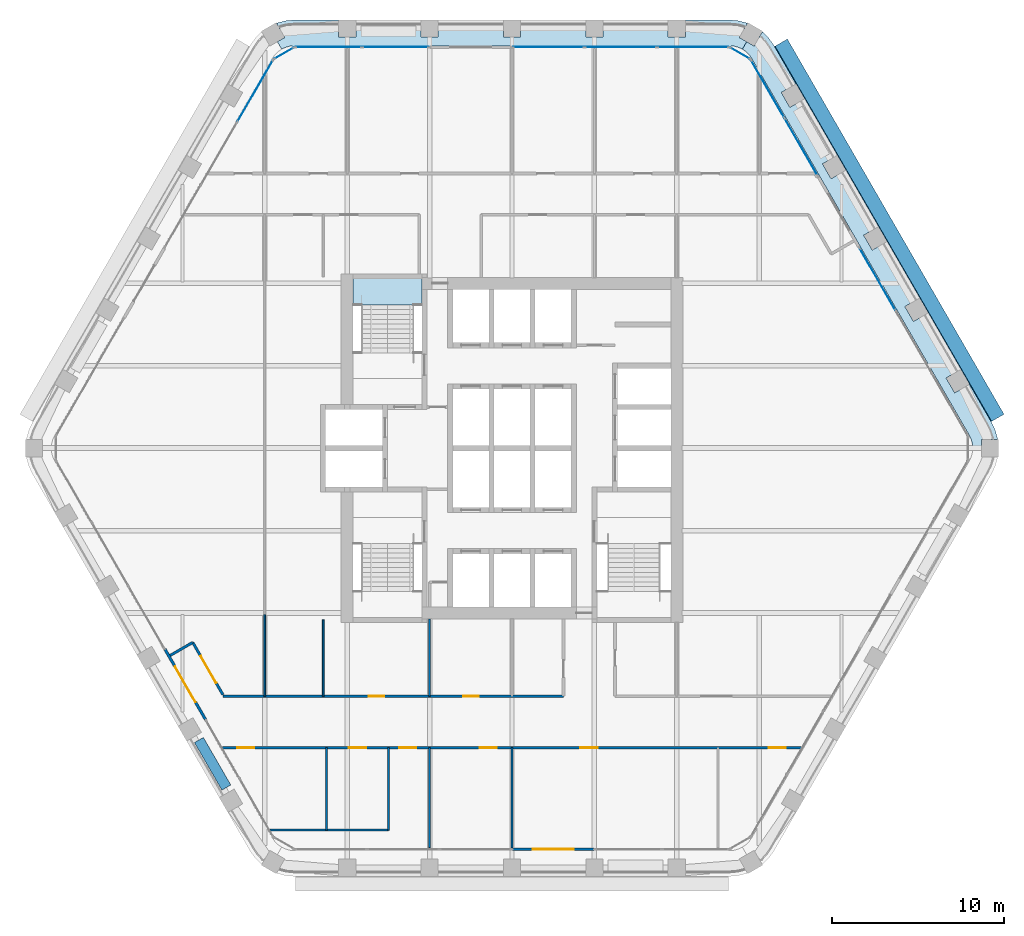
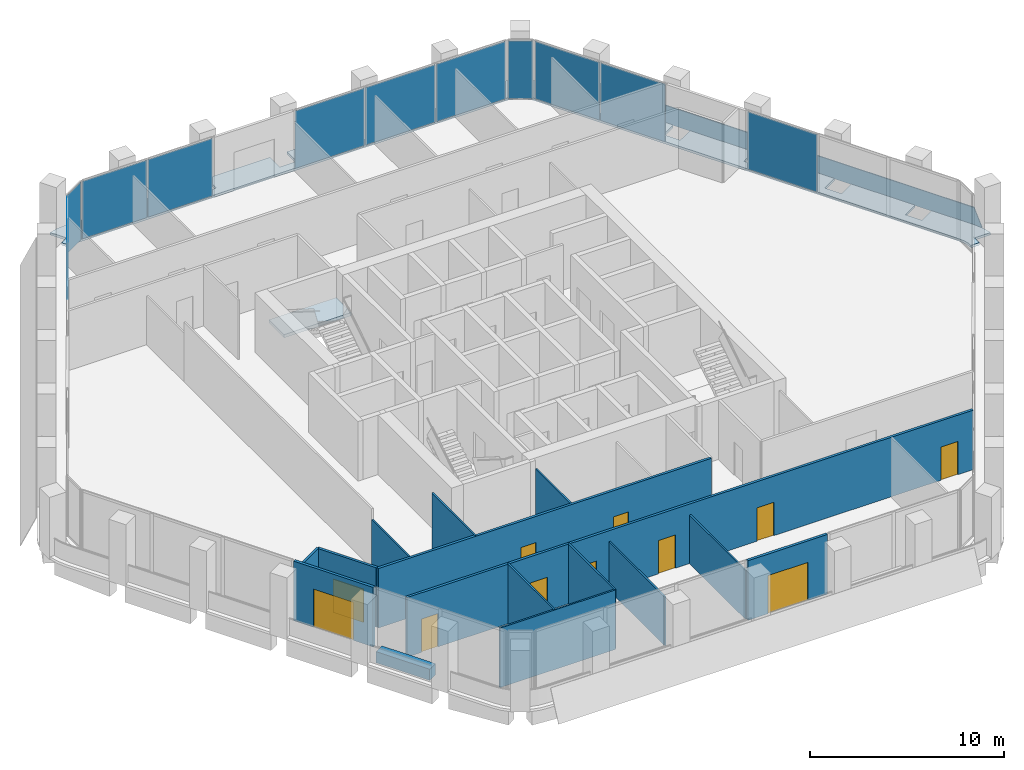
# One storey, part 8 of 15: 15 walls, 12 plates, 11 doors, 3 slabs, 11 openings, 8 elements without a shape of their own.
"""IFC4 building model written with IfcOpenShell, lengths in metres."""

from ifc_helpers import new_model, si_unit, direction, frame, frame_2d, origin, origin_2d, place, context, subcontext, project, spatial, polyline, rectangle, outline, extrude, material, layer, layer_set, type_object, element, fill, aggregate, save


model = new_model("IFC4")

# Units and contexts
model_context = context("Model", 3, precision=1e-05, world=origin(), true_north=direction((0.0, 1.0)))
body_context = subcontext(model_context, "Body", "Model", "MODEL_VIEW")
ifc_project = project(units=[si_unit("LENGTHUNIT", "METRE"), si_unit("AREAUNIT", "SQUARE_METRE"), si_unit("VOLUMEUNIT", "CUBIC_METRE"), si_unit("PLANEANGLEUNIT", "RADIAN"), si_unit("MASSUNIT", "GRAM", prefix="KILO")], contexts=[model_context])

# Site, building, storey
site_placement = place(None, origin())
site = spatial("IfcSite", under=ifc_project, at=site_placement, CompositionType="ELEMENT")
building_placement = place(site_placement, origin())
building = spatial("IfcBuilding", under=site, at=building_placement, Name="Kolab Exchange Tower", CompositionType="ELEMENT")
storey_placement = place(building_placement, frame((0.0, 0.0, 205.10009765625)))
storey = spatial("IfcBuildingStorey", under=building, at=storey_placement, Name="L44", CompositionType="ELEMENT", Elevation=205.10009765625)

# Slabs
ifc_material_1 = material(Name="Concrete C35/45", Category="concrete")
ifc_layer_1 = layer(ifc_material_1, 0.14990234375)
ifc_layer_set_1 = layer_set([ifc_layer_1], Name="Concrete C35/45")
slab_type_1 = type_object("IfcSlabType", Name="LOGGIA SLAB 150", PredefinedType="FLOOR", material=ifc_layer_set_1)
slab_1_placement = place(storey_placement, frame((0.0, 0.0, -0.150146484375)))
element("IfcSlab", 1, at=slab_1_placement, inside=storey, type_object=slab_type_1, Name="slab/L44/loggia/0-0", PredefinedType="FLOOR", context=body_context, shape_type="SweptSolid", body=[
    extrude(outline(polyline([(13.41796875, 23.240478515625), (13.66796875, 23.673583984375), (13.23486328125, 23.923583984375), (13.713134765625, 24.751708984375), (13.694091796875, 24.760498046875), (13.18896484375, 24.89599609375), (12.66796875, 24.941650390625), (10.10009765625, 24.941650390625), (10.10009765625, 23.941650390625), (9.10009765625, 23.941650390625), (9.10009765625, 24.941650390625), (5.300048828125, 24.941650390625), (5.300048828125, 23.941650390625), (4.300048828125, 23.941650390625), (4.300048828125, 24.941650390625), (0.5, 24.941650390625), (0.5, 23.941650390625), (-0.5, 23.941650390625), (-0.5, 24.941650390625), (-4.300048828125, 24.941650390625), (-4.300048828125, 23.941650390625), (-5.300048828125, 23.941650390625), (-5.300048828125, 24.941650390625), (-9.10009765625, 24.941650390625), (-9.10009765625, 23.941650390625), (-10.10009765625, 23.941650390625), (-10.10009765625, 24.941650390625), (-12.66796875, 24.941650390625), (-13.18896484375, 24.89599609375), (-13.694091796875, 24.760498046875), (-13.713134765625, 24.751708984375), (-13.23486328125, 23.923583984375), (-13.66796875, 23.673583984375), (-13.41796875, 23.240478515625), (-13.180908203125, 23.35107421875), (-12.928466796875, 23.418701171875), (-12.66796875, 23.441650390625), (12.66796875, 23.441650390625), (12.928466796875, 23.418701171875), (13.180908203125, 23.35107421875), (13.41796875, 23.240478515625)])), origin(), (0.0, 0.0, 1.0), 0.150146484375),
])
slab_2_placement = place(storey_placement, frame((0.0, 0.0, -0.150146484375)))
element("IfcSlab", 2, at=slab_2_placement, inside=storey, type_object=slab_type_1, Name="slab/L44/loggia/1-0", PredefinedType="FLOOR", context=body_context, shape_type="SweptSolid", body=[
    extrude(outline(polyline([(26.8359375, 0.0), (27.3359375, 0.0), (27.3359375, 0.5), (28.292236328125, 0.5), (28.290283203125, 0.52099609375), (28.155029296875, 1.026123046875), (27.93408203125, 1.5), (26.64990234375, 3.723876953125), (25.783935546875, 3.223876953125), (25.283935546875, 4.08984375), (26.14990234375, 4.58984375), (24.25, 7.880859375), (23.384033203125, 7.380859375), (22.884033203125, 8.246826171875), (23.75, 8.746826171875), (21.85009765625, 12.037841796875), (20.98388671875, 11.537841796875), (20.48388671875, 12.40380859375), (21.35009765625, 12.90380859375), (19.449951171875, 16.194580078125), (18.583984375, 15.694580078125), (18.083984375, 16.560791015625), (18.949951171875, 17.060791015625), (17.050048828125, 20.3515625), (16.18408203125, 19.8515625), (15.68408203125, 20.717529296875), (16.550048828125, 21.217529296875), (15.26611328125, 23.441650390625), (14.966064453125, 23.869873046875), (14.59619140625, 24.23974609375), (14.5791015625, 24.251708984375), (14.10107421875, 23.423583984375), (13.66796875, 23.673583984375), (13.41796875, 23.240478515625), (13.632080078125, 23.090576171875), (13.81689453125, 22.90576171875), (13.967041015625, 22.691650390625), (26.635009765625, 0.75), (26.745361328125, 0.512939453125), (26.81298828125, 0.260498046875), (26.8359375, 0.0)])), origin(), (0.0, 0.0, 1.0), 0.150146484375),
])

# Plate
ifc_material_2 = material(Name="Laminated glass, clear", Category="glass")
ifc_layer_2 = layer(ifc_material_2, 0.0400390625)
ifc_layer_set_2 = layer_set([ifc_layer_2], Name="Laminated glass, clear")
plate_type_1 = type_object("IfcPlateType", Name="OUTER SKIN LAMINATED GLASS SHEET 40", PredefinedType="SHEET", material=ifc_layer_set_2)
plate_1_placement = place(storey_placement, frame((16.040283203125, 23.830810546875, -0.68310546875), z_axis=(0.784879402523, 0.453150748855, 0.422633082363), x_axis=(0.49999996891, -0.866025421734, 9.26397e-07)))
element("IfcPlate", 3, at=plate_1_placement, inside=storey, type_object=plate_type_1, Name="Outer skin", PredefinedType="SHEET", context=body_context, shape_type="SweptSolid", body=[
    extrude(outline(polyline([(0.0, 0.0), (25.235928246078725, 0.0), (25.235843279343584, -1.9610710072384856), (0.00012646525258926716, -1.9611225980101972), (0.0, 0.0)])), origin(), (0.0, 0.0, -1.0), 0.0400390625),
])

# Stair, slab
ifc_material_3 = material(Name="Concrete C50/60", Category="concrete")
stair_type = type_object("IfcStairType", Name="STAIR ST1 RISER 177.3", PredefinedType="HALF_TURN_STAIR", material=ifc_material_3)
stair_placement = place(storey_placement, origin())
stair = element("IfcStair", 4, at=stair_placement, inside=storey, type_object=stair_type, Name="Stair 1", PredefinedType="HALF_TURN_STAIR")
ifc_layer_3 = layer(ifc_material_3, 0.199951171875)
ifc_layer_set_3 = layer_set([ifc_layer_3], Name="Concrete C50/60")
slab_type_2 = type_object("IfcSlabType", Name="STAIR LANDING 200", PredefinedType="LANDING", material=ifc_layer_set_3)
slab_3_placement = place(storey_placement, frame((0.0, 0.0, 1.75)))
slab_3 = element("IfcSlab", 5, at=slab_3_placement, type_object=slab_type_2, Name="ST1 landing 2", PredefinedType="LANDING", context=body_context, shape_type="SweptSolid", body=[
    extrude(outline(polyline([(-9.25, 8.35009765625), (-5.25, 8.35009765625), (-5.25, 9.909912109375), (-9.25, 9.909912109375), (-9.25, 8.35009765625)])), origin(), (0.0, 0.0, 1.0), 0.199951171875),
])
aggregate(stair, [slab_3])

# Curtain wall, plates
ifc_material_4 = material(Name="Aluminium EN AW-6063 T6", Category="aluminium")
curtain_wall_type = type_object("IfcCurtainWallType", Name="UNITISED UPPER MID ZONE CURTAIN WALL", PredefinedType="NOTDEFINED", material=ifc_material_4)
curtain_wall_1_placement = place(storey_placement, origin())
curtain_wall_1 = element("IfcCurtainWall", 6, at=curtain_wall_1_placement, inside=storey, type_object=curtain_wall_type, Name="cw/L44/F1-1", PredefinedType="NOTDEFINED")
ifc_material_5 = material(Name="Clear insulated glazing unit", Category="glass")
ifc_layer_4 = layer(ifc_material_5, 0.028076171875)
ifc_layer_set_4 = layer_set([ifc_layer_4], Name="Clear insulated glazing unit")
plate_type_2 = type_object("IfcPlateType", Name="UNITISED UPPER MID ZONE GLASS PANEL 28", PredefinedType="CURTAIN_PANEL", material=ifc_layer_set_4)
plate_2_placement = place(storey_placement, frame((-10.68603515625, 23.361572265625, 0.06005859375), z_axis=(0.0, 0.0, 1.0), x_axis=(1.0, 0.0, 0.0)))
plate_2 = element("IfcPlate", 7, at=plate_2_placement, type_object=plate_type_2, Name="CW3 panel 1.1", PredefinedType="CURTAIN_PANEL", context=body_context, shape_type="SweptSolid", body=[
    extrude(rectangle(XDim=3.843994140625, YDim=0.028076171875, at=origin_2d()), origin(), (0.0, 0.0, 1.0), 3.6298828125),
])
plate_3_placement = place(storey_placement, frame((-6.781982421875, 23.361572265625, 0.06005859375), z_axis=(0.0, 0.0, 1.0), x_axis=(1.0, 0.0, 0.0)))
plate_3 = element("IfcPlate", 8, at=plate_3_placement, type_object=plate_type_2, Name="CW3 panel 2.1", PredefinedType="CURTAIN_PANEL", context=body_context, shape_type="SweptSolid", body=[
    extrude(rectangle(XDim=3.843994140625, YDim=0.028076171875, at=origin_2d()), origin(), (0.0, 0.0, 1.0), 3.6298828125),
])
aggregate(curtain_wall_1, [plate_2, plate_3])

curtain_wall_2_placement = place(storey_placement, origin())
curtain_wall_2 = element("IfcCurtainWall", 9, at=curtain_wall_2_placement, inside=storey, type_object=curtain_wall_type, Name="cw/L44/F1-2", PredefinedType="NOTDEFINED")
plate_4_placement = place(storey_placement, frame((2.126220703125, 23.361572265625, 0.06005859375), z_axis=(0.0, 0.0, 1.0), x_axis=(1.0, 0.0, 0.0)))
plate_4 = element("IfcPlate", 10, at=plate_4_placement, type_object=plate_type_2, Name="CW3 panel 1.1", PredefinedType="CURTAIN_PANEL", context=body_context, shape_type="SweptSolid", body=[
    extrude(rectangle(XDim=4.132568359375, YDim=0.028076171875, at=origin_2d()), origin(), (0.0, 0.0, 1.0), 3.6298828125),
])
plate_5_placement = place(storey_placement, frame((6.333984375, 23.361572265625, 0.06005859375), z_axis=(0.0, 0.0, 1.0), x_axis=(1.0, 0.0, 0.0)))
plate_5 = element("IfcPlate", 11, at=plate_5_placement, type_object=plate_type_2, Name="CW3 panel 2.1", PredefinedType="CURTAIN_PANEL", context=body_context, shape_type="SweptSolid", body=[
    extrude(rectangle(XDim=4.16259765625, YDim=0.028076171875, at=origin_2d()), origin(), (0.0, 0.0, 1.0), 3.6298828125),
])
plate_6_placement = place(storey_placement, frame((10.54150390625, 23.361572265625, 0.06005859375), z_axis=(0.0, 0.0, 1.0), x_axis=(1.0, 0.0, 0.0)))
plate_6 = element("IfcPlate", 12, at=plate_6_placement, type_object=plate_type_2, Name="CW3 panel 3.1", PredefinedType="CURTAIN_PANEL", context=body_context, shape_type="SweptSolid", body=[
    extrude(rectangle(XDim=4.132568359375, YDim=0.028076171875, at=origin_2d()), origin(), (0.0, 0.0, 1.0), 3.6298828125),
])
aggregate(curtain_wall_2, [plate_4, plate_5, plate_6])

curtain_wall_3_placement = place(storey_placement, origin())
curtain_wall_3 = element("IfcCurtainWall", 13, at=curtain_wall_3_placement, inside=storey, type_object=curtain_wall_type, Name="cw/L44/F2-1", PredefinedType="NOTDEFINED")
plate_7_placement = place(storey_placement, frame((14.888671875, 20.93505859375, 0.06005859375), z_axis=(0.0, 0.0, 1.0), x_axis=(0.500000031681, -0.866025385493, 0.0)))
plate_7 = element("IfcPlate", 14, at=plate_7_placement, type_object=plate_type_2, Name="CW3 panel 1.1", PredefinedType="CURTAIN_PANEL", context=body_context, shape_type="SweptSolid", body=[
    extrude(rectangle(XDim=3.843994140625, YDim=0.028076171875, at=origin_2d()), origin(), (0.0, 0.0, 1.0), 3.6298828125),
])
plate_8_placement = place(storey_placement, frame((16.840576171875, 17.55419921875, 0.06005859375), z_axis=(0.0, 0.0, 1.0), x_axis=(0.500000031681, -0.866025385493, 0.0)))
plate_8 = element("IfcPlate", 15, at=plate_8_placement, type_object=plate_type_2, Name="CW3 panel 2.1", PredefinedType="CURTAIN_PANEL", context=body_context, shape_type="SweptSolid", body=[
    extrude(rectangle(XDim=3.843994140625, YDim=0.028076171875, at=origin_2d()), origin(), (0.0, 0.0, 1.0), 3.6298828125),
])
aggregate(curtain_wall_3, [plate_7, plate_8])

# Curtain wall, plate
curtain_wall_4_placement = place(storey_placement, origin())
curtain_wall_4 = element("IfcCurtainWall", 16, at=curtain_wall_4_placement, inside=storey, type_object=curtain_wall_type, Name="cw/L44/F2-2", PredefinedType="NOTDEFINED")
plate_9_placement = place(storey_placement, frame((21.294921875, 9.83935546875, 0.06005859375), z_axis=(0.0, 0.0, 1.0), x_axis=(0.499999958358, -0.866025427826, 0.0)))
plate_9 = element("IfcPlate", 17, at=plate_9_placement, type_object=plate_type_2, Name="CW3 panel 1.1", PredefinedType="CURTAIN_PANEL", context=body_context, shape_type="SweptSolid", body=[
    extrude(rectangle(XDim=4.132568359375, YDim=0.028076171875, at=origin_2d()), origin(), (0.0, 0.0, 1.0), 3.6298828125),
])
aggregate(curtain_wall_4, [plate_9])

curtain_wall_5_placement = place(storey_placement, origin())
curtain_wall_5 = element("IfcCurtainWall", 18, at=curtain_wall_5_placement, inside=storey, type_object=curtain_wall_type, Name="cw/L44/F6-2", PredefinedType="NOTDEFINED")
plate_10_placement = place(storey_placement, frame((-14.9609375, 20.81005859375, 0.06005859375), z_axis=(0.0, 0.0, 1.0), x_axis=(0.500000017564, 0.866025393644, 0.0)))
plate_10 = element("IfcPlate", 19, at=plate_10_placement, type_object=plate_type_2, Name="CW3 panel 3.1", PredefinedType="CURTAIN_PANEL", context=body_context, shape_type="SweptSolid", body=[
    extrude(rectangle(XDim=4.132568359375, YDim=0.028076171875, at=origin_2d()), origin(), (0.0, 0.0, 1.0), 3.6298828125),
])
aggregate(curtain_wall_5, [plate_10])

curtain_wall_6_placement = place(storey_placement, origin())
curtain_wall_6 = element("IfcCurtainWall", 20, at=curtain_wall_6_placement, inside=storey, type_object=curtain_wall_type, Name="cw/L44/F1F2-corner", PredefinedType="NOTDEFINED")
plate_11_placement = place(storey_placement, frame((13.28271484375, 23.006591796875, 0.06005859375), z_axis=(0.0, 0.0, 1.0), x_axis=(0.866025390869, -0.50000002237, 0.0)))
plate_11 = element("IfcPlate", 21, at=plate_11_placement, type_object=plate_type_2, Name="CW3 panel 1.1", PredefinedType="CURTAIN_PANEL", context=body_context, shape_type="SweptSolid", body=[
    extrude(rectangle(XDim=1.300048828125, YDim=0.028076171875, at=origin_2d()), origin(), (0.0, 0.0, 1.0), 3.6298828125),
])
aggregate(curtain_wall_6, [plate_11])

curtain_wall_7_placement = place(storey_placement, origin())
curtain_wall_7 = element("IfcCurtainWall", 22, at=curtain_wall_7_placement, inside=storey, type_object=curtain_wall_type, Name="cw/L44/F6F1-corner", PredefinedType="NOTDEFINED")
plate_12_placement = place(storey_placement, frame((-13.28271484375, 23.006591796875, 0.06005859375), z_axis=(0.0, 0.0, 1.0), x_axis=(0.866025390869, 0.50000002237, 0.0)))
plate_12 = element("IfcPlate", 23, at=plate_12_placement, type_object=plate_type_2, Name="CW3 panel 1.1", PredefinedType="CURTAIN_PANEL", context=body_context, shape_type="SweptSolid", body=[
    extrude(rectangle(XDim=1.300048828125, YDim=0.028076171875, at=origin_2d()), origin(), (0.0, 0.0, 1.0), 3.6298828125),
])
aggregate(curtain_wall_7, [plate_12])

# Wall, opening, door
ifc_layer_5 = layer(ifc_material_4, 0.159912109375)
ifc_layer_set_5 = layer_set([ifc_layer_5], Name="Aluminium EN AW-6063 T6")
wall_type_1 = type_object("IfcWallType", Name="DOOR SURROUND WALL 160 ALUMINIUM FRAMED", PredefinedType="PARTITIONING", material=ifc_layer_set_5)
wall_1_placement = place(storey_placement, frame((4.77001953125, -23.361572265625, 0.0), z_axis=(0.0, 0.0, 1.0), x_axis=(-1.0, 0.0, 0.0)))
wall_1 = element("IfcWall", 24, at=wall_1_placement, inside=storey, type_object=wall_type_1, Name="Door surround wall", PredefinedType="PARTITIONING", context=body_context, shape_type="SweptSolid", body=[
    extrude(rectangle(XDim=4.739990234375, YDim=0.159912109375, at=frame_2d((2.3701171875, 0.0))), origin(), (0.0, 0.0, 1.0), 3.75),
])
opening_1_placement = place(wall_1_placement, frame((1.169921875, 0.0, 0.0)))
opening_1 = element("IfcOpeningElement", 25, at=opening_1_placement, cuts=wall_1, Name="Opening GD1-067", PredefinedType="OPENING", context=body_context, shape_type="SweptSolid", body=[
    extrude(rectangle(XDim=2.39990234375, YDim=2.39990234375, at=frame_2d((1.199951171875, 1.199951171875))), frame((0.0, 0.08984375, 0.0), z_axis=(0.0, -1.0, 0.0), x_axis=(1.0, 0.0, 0.0)), (0.0, 0.0, 1.0), 0.179931640625),
])
door_type_1 = type_object("IfcDoorType", Name="LOGGIA SLIDING GLASS DOOR 2400 X 2400", OperationType="DOUBLE_DOOR_SINGLE_SWING", PredefinedType="DOOR", material=ifc_material_4)
door_1_placement = place(opening_1_placement, origin())
door_1 = element("IfcDoor", 26, at=door_1_placement, inside=storey, type_object=door_type_1, Name="Loggia door", OperationType="DOUBLE_DOOR_SLIDING", OverallHeight=2.39990234375, OverallWidth=2.39990234375, PredefinedType="DOOR", context=body_context, shape_type="SweptSolid", body=[
    extrude(rectangle(XDim=2.39990234375, YDim=2.39990234375, at=frame_2d((1.199951171875, 1.199951171875))), frame((0.0, 0.02490234375, 0.0), z_axis=(0.0, -1.0, 0.0), x_axis=(1.0, 0.0, 0.0)), (0.0, 0.0, 1.0), 0.050048828125),
])
fill(opening_1, door_1)

wall_2_placement = place(storey_placement, frame((-17.8466796875, -15.811767578125, 0.0), z_axis=(0.0, 0.0, 1.0), x_axis=(-0.5000167099, 0.866015756104, 0.0)))
wall_2 = element("IfcWall", 27, at=wall_2_placement, inside=storey, type_object=wall_type_1, Name="Door surround wall", PredefinedType="PARTITIONING", context=body_context, shape_type="SweptSolid", body=[
    extrude(rectangle(XDim=4.739990234375, YDim=0.159912109375, at=frame_2d((2.3701171875, 0.0))), origin(), (0.0, 0.0, 1.0), 3.75),
])
opening_2_placement = place(wall_2_placement, frame((1.169921875, 0.0, 0.0)))
opening_2 = element("IfcOpeningElement", 28, at=opening_2_placement, cuts=wall_2, Name="Opening GD1-068", PredefinedType="OPENING", context=body_context, shape_type="SweptSolid", body=[
    extrude(rectangle(XDim=2.39990234375, YDim=2.39990234375, at=frame_2d((1.199951171875, 1.199951171875))), frame((0.0, 0.08984375, 0.0), z_axis=(0.0, -1.0, 0.0), x_axis=(1.0, 0.0, 0.0)), (0.0, 0.0, 1.0), 0.179931640625),
])
door_2_placement = place(opening_2_placement, origin())
door_2 = element("IfcDoor", 29, at=door_2_placement, inside=storey, type_object=door_type_1, Name="Loggia door", OperationType="DOUBLE_DOOR_SLIDING", OverallHeight=2.39990234375, OverallWidth=2.39990234375, PredefinedType="DOOR", context=body_context, shape_type="SweptSolid", body=[
    extrude(rectangle(XDim=2.39990234375, YDim=2.39990234375, at=frame_2d((1.199951171875, 1.199951171875))), frame((0.0, 0.02490234375, 0.0), z_axis=(0.0, -1.0, 0.0), x_axis=(1.0, 0.0, 0.0)), (0.0, 0.0, 1.0), 0.050048828125),
])
fill(opening_2, door_2)

# Walls
ifc_material_6 = material(Name="Gypsum board", Category="gypsum")
ifc_layer_6 = layer(ifc_material_6, 0.10009765625)
ifc_layer_set_6 = layer_set([ifc_layer_6], Name="Gypsum board")
wall_type_2 = type_object("IfcWallType", Name="PARTITION 100", PredefinedType="PARTITIONING", material=ifc_layer_set_6)
wall_3_placement = place(storey_placement, frame((0.0, -23.281494140625, 0.0), z_axis=(0.0, 0.0, 1.0), x_axis=(0.0, 1.0, 0.0)))
element("IfcWall", 30, at=wall_3_placement, inside=storey, type_object=wall_type_2, Name="Partition 009", PredefinedType="PARTITIONING", context=body_context, shape_type="SweptSolid", body=[
    extrude(rectangle(XDim=5.840087890625, YDim=0.10009765625, at=frame_2d((2.919921875, 0.0))), origin(), (0.0, 0.0, 1.0), 3.06591796875),
])
wall_4_placement = place(storey_placement, frame((-4.800048828125, -23.271484375, 0.0), z_axis=(0.0, 0.0, 1.0), x_axis=(0.0, 1.0, 0.0)))
element("IfcWall", 31, at=wall_4_placement, inside=storey, type_object=wall_type_2, Name="Partition 013", PredefinedType="PARTITIONING", context=body_context, shape_type="SweptSolid", body=[
    extrude(rectangle(XDim=5.830078125, YDim=0.10009765625, at=frame_2d((2.9150390625, 0.0))), origin(), (0.0, 0.0, 1.0), 3.06591796875),
])
wall_5_placement = place(storey_placement, frame((-4.800048828125, -14.44140625, 0.0), z_axis=(0.0, 0.0, 1.0), x_axis=(0.0, 1.0, 0.0)))
element("IfcWall", 32, at=wall_5_placement, inside=storey, type_object=wall_type_2, Name="Partition 014", PredefinedType="PARTITIONING", context=body_context, shape_type="SweptSolid", body=[
    extrude(rectangle(XDim=4.491455078125, YDim=0.10009765625, at=frame_2d((2.24560546875, 0.0))), origin(), (0.0, 0.0, 1.0), 3.06591796875),
])
for number, where, z_axis, x_axis, name in (
    (33, (-7.199951171875, -22.241455078125, 0.0), (0.0, 0.0, 1.0), (0.0, 1.0, 0.0), "Partition 017"),
    (34, (-10.800048828125, -22.241455078125, 0.0), (0.0, 0.0, 1.0), (0.0, 1.0, 0.0), "Partition 019"),
):
    element("IfcWall", number, at=place(storey_placement, frame(where, z_axis=z_axis, x_axis=x_axis)), inside=storey, type_object=wall_type_2, Name=name, PredefinedType="PARTITIONING", context=body_context, shape_type="SweptSolid", body=[
        extrude(rectangle(XDim=4.800048828125, YDim=0.10009765625, at=frame_2d((2.39990234375, 0.0))), origin(), (0.0, 0.0, 1.0), 3.75),
    ])
wall_6_placement = place(storey_placement, frame((-11.0, -14.44140625, 0.0), z_axis=(0.0, 0.0, 1.0), x_axis=(0.0, 1.0, 0.0)))
element("IfcWall", 35, at=wall_6_placement, inside=storey, type_object=wall_type_2, Name="Partition 020", PredefinedType="PARTITIONING", context=body_context, shape_type="SweptSolid", body=[
    extrude(rectangle(XDim=4.44140625, YDim=0.10009765625, at=frame_2d((2.220703125, 0.0))), origin(), (0.0, 0.0, 1.0), 3.75),
])
wall_7_placement = place(storey_placement, frame((-14.39990234375, -14.44140625, 0.0), z_axis=(0.0, 0.0, 1.0), x_axis=(0.0, 1.0, 0.0)))
element("IfcWall", 36, at=wall_7_placement, inside=storey, type_object=wall_type_2, Name="Partition 022", PredefinedType="PARTITIONING", context=body_context, shape_type="SweptSolid", body=[
    extrude(rectangle(XDim=4.747802734375, YDim=0.10009765625, at=frame_2d((2.3740234375, 0.0))), origin(), (0.0, 0.0, 1.0), 3.06591796875),
])
wall_8_placement = place(storey_placement, frame((-14.088134765625, -22.241455078125, 0.0), z_axis=(0.0, 0.0, 1.0), x_axis=(1.0, 0.0, 0.0)))
element("IfcWall", 37, at=wall_8_placement, inside=storey, type_object=wall_type_2, Name="Partition 028", PredefinedType="PARTITIONING", context=body_context, shape_type="SweptSolid", body=[
    extrude(rectangle(XDim=6.88818359375, YDim=0.10009765625, at=frame_2d((3.444091796875, 0.0))), origin(), (0.0, 0.0, 1.0), 3.75),
])

# Wall, opening, door
ifc_layer_7 = layer(ifc_material_6, 0.14990234375)
ifc_layer_set_7 = layer_set([ifc_layer_7], Name="Gypsum board")
wall_type_3 = type_object("IfcWallType", Name="PARTITION 150 FIRE-RATED", PredefinedType="PARTITIONING", material=ifc_layer_set_7)
wall_9_placement = place(storey_placement, frame((-18.595947265625, -11.313720703125, 0.0), z_axis=(0.0, 0.0, 1.0), x_axis=(0.499980607609, -0.866036599697, 0.0)))
wall_9 = element("IfcWall", 38, at=wall_9_placement, inside=storey, type_object=wall_type_3, Name="Partition 024", PredefinedType="PARTITIONING", context=body_context, shape_type="SweptSolid", body=[
    extrude(rectangle(XDim=3.520263671875, YDim=0.14990234375, at=frame_2d((1.76025390625, 0.0))), origin(), (0.0, 0.0, 1.0), 3.75),
])
opening_3_placement = place(wall_9_placement, frame((0.925048828125, 0.0, 0.0)))
opening_3 = element("IfcOpeningElement", 39, at=opening_3_placement, cuts=wall_9, Name="Opening D2-060", PredefinedType="OPENING", context=body_context, shape_type="SweptSolid", body=[
    extrude(rectangle(XDim=1.800048828125, YDim=2.10009765625, at=frame_2d((0.89990234375, 1.050048828125))), frame((0.0, 0.0849609375, 0.0), z_axis=(0.0, -1.0, 0.0), x_axis=(1.0, 0.0, 0.0)), (0.0, 0.0, 1.0), 0.169921875),
])
ifc_material_7 = material(Name="Steel S235", Category="steel")
door_type_2 = type_object("IfcDoorType", Name="DOUBLE DOOR 1800 FD60", OperationType="DOUBLE_DOOR_SINGLE_SWING", PredefinedType="DOOR", material=ifc_material_7)
door_3_placement = place(opening_3_placement, origin())
door_3 = element("IfcDoor", 40, at=door_3_placement, inside=storey, type_object=door_type_2, Name="Door L44-052", OperationType="SINGLE_SWING_RIGHT", OverallHeight=2.10009765625, OverallWidth=1.800048828125, PredefinedType="DOOR", context=body_context, shape_type="SweptSolid", body=[
    extrude(rectangle(XDim=1.800048828125, YDim=2.10009765625, at=frame_2d((0.89990234375, 1.050048828125))), frame((0.0, 0.02490234375, 0.0), z_axis=(0.0, -1.0, 0.0), x_axis=(1.0, 0.0, 0.0)), (0.0, 0.0, 1.0), 0.050048828125),
])
fill(opening_3, door_3)

# Wall
wall_10_placement = place(storey_placement, frame((-19.912353515625, -12.07373046875, 0.0), z_axis=(0.0, 0.0, 1.0), x_axis=(0.866030456496, 0.499991248344, 0.0)))
element("IfcWall", 41, at=wall_10_placement, inside=storey, type_object=wall_type_3, Name="Partition 026", PredefinedType="PARTITIONING", context=body_context, shape_type="SweptSolid", body=[
    extrude(rectangle(XDim=1.52001953125, YDim=0.14990234375, at=frame_2d((0.760009765625, 0.0))), origin(), (0.0, 0.0, 1.0), 3.75),
])

# Wall, openings, doors
wall_11_placement = place(storey_placement, frame((-16.859619140625, -17.44140625, 0.0), z_axis=(0.0, 0.0, 1.0), x_axis=(1.0, 0.0, 0.0)))
wall_11 = element("IfcWall", 42, at=wall_11_placement, inside=storey, type_object=wall_type_3, Name="Partition 029", PredefinedType="PARTITIONING", context=body_context, shape_type="SweptSolid", body=[
    extrude(rectangle(XDim=33.71923828125, YDim=0.14990234375, at=frame_2d((16.859619140625, 0.0))), origin(), (0.0, 0.0, 1.0), 3.75),
])
opening_4_placement = place(wall_11_placement, frame((0.85107421875, 0.0, 0.0)))
opening_4 = element("IfcOpeningElement", 43, at=opening_4_placement, cuts=wall_11, Name="Opening D1-579", PredefinedType="OPENING", context=body_context, shape_type="SweptSolid", body=[
    extrude(rectangle(XDim=1.0, YDim=2.10009765625, at=frame_2d((0.5, 1.050048828125))), frame((0.0, 0.0849609375, 0.0), z_axis=(0.0, -1.0, 0.0), x_axis=(1.0, 0.0, 0.0)), (0.0, 0.0, 1.0), 0.169921875),
])
opening_5_placement = place(wall_11_placement, frame((7.359619140625, 0.0, 0.0)))
opening_5 = element("IfcOpeningElement", 44, at=opening_5_placement, cuts=wall_11, Name="Opening D1-580", PredefinedType="OPENING", context=body_context, shape_type="SweptSolid", body=[
    extrude(rectangle(XDim=1.0, YDim=2.10009765625, at=frame_2d((0.5, 1.050048828125))), frame((0.0, 0.0849609375, 0.0), z_axis=(0.0, -1.0, 0.0), x_axis=(1.0, 0.0, 0.0)), (0.0, 0.0, 1.0), 0.169921875),
])
opening_6_placement = place(wall_11_placement, frame((10.284423828125, 0.0, 0.0)))
opening_6 = element("IfcOpeningElement", 45, at=opening_6_placement, cuts=wall_11, Name="Opening D1-581", PredefinedType="OPENING", context=body_context, shape_type="SweptSolid", body=[
    extrude(rectangle(XDim=1.0, YDim=2.10009765625, at=frame_2d((0.5, 1.050048828125))), frame((0.0, 0.0849609375, 0.0), z_axis=(0.0, -1.0, 0.0), x_axis=(1.0, 0.0, 0.0)), (0.0, 0.0, 1.0), 0.169921875),
])
opening_7_placement = place(wall_11_placement, frame((14.974609375, 0.0, 0.0)))
opening_7 = element("IfcOpeningElement", 46, at=opening_7_placement, cuts=wall_11, Name="Opening D1-582", PredefinedType="OPENING", context=body_context, shape_type="SweptSolid", body=[
    extrude(rectangle(XDim=1.0, YDim=2.10009765625, at=frame_2d((0.5, 1.050048828125))), frame((0.0, 0.0849609375, 0.0), z_axis=(0.0, -1.0, 0.0), x_axis=(1.0, 0.0, 0.0)), (0.0, 0.0, 1.0), 0.169921875),
])
opening_8_placement = place(wall_11_placement, frame((20.844482421875, 0.0, 0.0)))
opening_8 = element("IfcOpeningElement", 47, at=opening_8_placement, cuts=wall_11, Name="Opening D1-583", PredefinedType="OPENING", context=body_context, shape_type="SweptSolid", body=[
    extrude(rectangle(XDim=1.0, YDim=2.10009765625, at=frame_2d((0.5, 1.050048828125))), frame((0.0, 0.0849609375, 0.0), z_axis=(0.0, -1.0, 0.0), x_axis=(1.0, 0.0, 0.0)), (0.0, 0.0, 1.0), 0.169921875),
])
opening_9_placement = place(wall_11_placement, frame((31.80908203125, 0.0, 0.0)))
opening_9 = element("IfcOpeningElement", 48, at=opening_9_placement, cuts=wall_11, Name="Opening D1-584", PredefinedType="OPENING", context=body_context, shape_type="SweptSolid", body=[
    extrude(rectangle(XDim=1.0, YDim=2.10009765625, at=frame_2d((0.5, 1.050048828125))), frame((0.0, 0.0849609375, 0.0), z_axis=(0.0, -1.0, 0.0), x_axis=(1.0, 0.0, 0.0)), (0.0, 0.0, 1.0), 0.169921875),
])
door_type_3 = type_object("IfcDoorType", Name="FLUSH DOOR 1000 FD60", OperationType="SINGLE_SWING_LEFT", PredefinedType="DOOR", material=ifc_material_7)
door_4_placement = place(opening_4_placement, frame((1.0, 0.0, 0.0), z_axis=(0.0, 0.0, 1.0), x_axis=(-1.0, 0.0, 0.0)))
door_4 = element("IfcDoor", 49, at=door_4_placement, inside=storey, type_object=door_type_3, Name="Door L44-045", OperationType="SINGLE_SWING_LEFT", OverallHeight=2.10009765625, OverallWidth=1.0, PredefinedType="DOOR", context=body_context, shape_type="SweptSolid", body=[
    extrude(rectangle(XDim=1.0, YDim=2.10009765625, at=frame_2d((0.5, 1.050048828125))), frame((0.0, 0.02490234375, 0.0), z_axis=(0.0, -1.0, 0.0), x_axis=(1.0, 0.0, 0.0)), (0.0, 0.0, 1.0), 0.050048828125),
])
fill(opening_4, door_4)
door_5_placement = place(opening_5_placement, frame((1.0, 0.0, 0.0), z_axis=(0.0, 0.0, 1.0), x_axis=(-1.0, 0.0, 0.0)))
door_5 = element("IfcDoor", 50, at=door_5_placement, inside=storey, type_object=door_type_3, Name="Door L44-046", OperationType="SINGLE_SWING_RIGHT", OverallHeight=2.10009765625, OverallWidth=1.0, PredefinedType="DOOR", context=body_context, shape_type="SweptSolid", body=[
    extrude(rectangle(XDim=1.0, YDim=2.10009765625, at=frame_2d((0.5, 1.050048828125))), frame((0.0, 0.02490234375, 0.0), z_axis=(0.0, -1.0, 0.0), x_axis=(1.0, 0.0, 0.0)), (0.0, 0.0, 1.0), 0.050048828125),
])
fill(opening_5, door_5)
door_6_placement = place(opening_6_placement, frame((1.0, 0.0, 0.0), z_axis=(0.0, 0.0, 1.0), x_axis=(-1.0, 0.0, 0.0)))
door_6 = element("IfcDoor", 51, at=door_6_placement, inside=storey, type_object=door_type_3, Name="Door L44-047", OperationType="SINGLE_SWING_LEFT", OverallHeight=2.10009765625, OverallWidth=1.0, PredefinedType="DOOR", context=body_context, shape_type="SweptSolid", body=[
    extrude(rectangle(XDim=1.0, YDim=2.10009765625, at=frame_2d((0.5, 1.050048828125))), frame((0.0, 0.02490234375, 0.0), z_axis=(0.0, -1.0, 0.0), x_axis=(1.0, 0.0, 0.0)), (0.0, 0.0, 1.0), 0.050048828125),
])
fill(opening_6, door_6)
door_7_placement = place(opening_7_placement, frame((1.0, 0.0, 0.0), z_axis=(0.0, 0.0, 1.0), x_axis=(-1.0, 0.0, 0.0)))
door_7 = element("IfcDoor", 52, at=door_7_placement, inside=storey, type_object=door_type_3, Name="Door L44-048", OperationType="SINGLE_SWING_RIGHT", OverallHeight=2.10009765625, OverallWidth=1.0, PredefinedType="DOOR", context=body_context, shape_type="SweptSolid", body=[
    extrude(rectangle(XDim=1.0, YDim=2.10009765625, at=frame_2d((0.5, 1.050048828125))), frame((0.0, 0.02490234375, 0.0), z_axis=(0.0, -1.0, 0.0), x_axis=(1.0, 0.0, 0.0)), (0.0, 0.0, 1.0), 0.050048828125),
])
fill(opening_7, door_7)
door_8_placement = place(opening_8_placement, frame((1.0, 0.0, 0.0), z_axis=(0.0, 0.0, 1.0), x_axis=(-1.0, 0.0, 0.0)))
door_8 = element("IfcDoor", 53, at=door_8_placement, inside=storey, type_object=door_type_3, Name="Door L44-049", OperationType="SINGLE_SWING_LEFT", OverallHeight=2.10009765625, OverallWidth=1.0, PredefinedType="DOOR", context=body_context, shape_type="SweptSolid", body=[
    extrude(rectangle(XDim=1.0, YDim=2.10009765625, at=frame_2d((0.5, 1.050048828125))), frame((0.0, 0.02490234375, 0.0), z_axis=(0.0, -1.0, 0.0), x_axis=(1.0, 0.0, 0.0)), (0.0, 0.0, 1.0), 0.050048828125),
])
fill(opening_8, door_8)
door_9_placement = place(opening_9_placement, frame((1.0, 0.0, 0.0), z_axis=(0.0, 0.0, 1.0), x_axis=(-1.0, 0.0, 0.0)))
door_9 = element("IfcDoor", 54, at=door_9_placement, inside=storey, type_object=door_type_3, Name="Door L44-050", OperationType="SINGLE_SWING_RIGHT", OverallHeight=2.10009765625, OverallWidth=1.0, PredefinedType="DOOR", context=body_context, shape_type="SweptSolid", body=[
    extrude(rectangle(XDim=1.0, YDim=2.10009765625, at=frame_2d((0.5, 1.050048828125))), frame((0.0, 0.02490234375, 0.0), z_axis=(0.0, -1.0, 0.0), x_axis=(1.0, 0.0, 0.0)), (0.0, 0.0, 1.0), 0.050048828125),
])
fill(opening_9, door_9)

wall_12_placement = place(storey_placement, frame((-16.843017578125, -14.44140625, 0.0), z_axis=(0.0, 0.0, 1.0), x_axis=(1.0, 0.0, 0.0)))
wall_12 = element("IfcWall", 55, at=wall_12_placement, inside=storey, type_object=wall_type_3, Name="Partition 030", PredefinedType="PARTITIONING", context=body_context, shape_type="SweptSolid", body=[
    extrude(rectangle(XDim=19.843017578125, YDim=0.14990234375, at=frame_2d((9.92138671875, 0.0))), origin(), (0.0, 0.0, 1.0), 3.75),
])
opening_10_placement = place(wall_12_placement, frame((8.492919921875, 0.0, 0.0)))
opening_10 = element("IfcOpeningElement", 56, at=opening_10_placement, cuts=wall_12, Name="Opening D3-064", PredefinedType="OPENING", context=body_context, shape_type="SweptSolid", body=[
    extrude(rectangle(XDim=0.89990234375, YDim=2.10009765625, at=frame_2d((0.449951171875, 1.050048828125))), frame((0.0, 0.0849609375, 0.0), z_axis=(0.0, -1.0, 0.0), x_axis=(1.0, 0.0, 0.0)), (0.0, 0.0, 1.0), 0.169921875),
])
opening_11_placement = place(wall_12_placement, frame((13.992919921875, 0.0, 0.0)))
opening_11 = element("IfcOpeningElement", 57, at=opening_11_placement, cuts=wall_12, Name="Opening D3-065", PredefinedType="OPENING", context=body_context, shape_type="SweptSolid", body=[
    extrude(rectangle(XDim=0.89990234375, YDim=2.10009765625, at=frame_2d((0.449951171875, 1.050048828125))), frame((0.0, 0.0849609375, 0.0), z_axis=(0.0, -1.0, 0.0), x_axis=(1.0, 0.0, 0.0)), (0.0, 0.0, 1.0), 0.169921875),
])
door_type_4 = type_object("IfcDoorType", Name="FLUSH DOOR 900 FD60", OperationType="SINGLE_SWING_LEFT", PredefinedType="DOOR", material=ifc_material_7)
door_10_placement = place(opening_10_placement, origin())
door_10 = element("IfcDoor", 58, at=door_10_placement, inside=storey, type_object=door_type_4, Name="Door L44-035", OperationType="SINGLE_SWING_LEFT", OverallHeight=2.10009765625, OverallWidth=0.89990234375, PredefinedType="DOOR", context=body_context, shape_type="SweptSolid", body=[
    extrude(rectangle(XDim=0.89990234375, YDim=2.10009765625, at=frame_2d((0.449951171875, 1.050048828125))), frame((0.0, 0.02490234375, 0.0), z_axis=(0.0, -1.0, 0.0), x_axis=(1.0, 0.0, 0.0)), (0.0, 0.0, 1.0), 0.050048828125),
])
fill(opening_10, door_10)
door_11_placement = place(opening_11_placement, origin())
door_11 = element("IfcDoor", 59, at=door_11_placement, inside=storey, type_object=door_type_4, Name="Door L44-036", OperationType="SINGLE_SWING_LEFT", OverallHeight=2.10009765625, OverallWidth=0.89990234375, PredefinedType="DOOR", context=body_context, shape_type="SweptSolid", body=[
    extrude(rectangle(XDim=0.89990234375, YDim=2.10009765625, at=frame_2d((0.449951171875, 1.050048828125))), frame((0.0, 0.02490234375, 0.0), z_axis=(0.0, -1.0, 0.0), x_axis=(1.0, 0.0, 0.0)), (0.0, 0.0, 1.0), 0.050048828125),
])
fill(opening_11, door_11)

# Wall
ifc_material_8 = material(Name="Granite facing", Category="masonry")
ifc_layer_8 = layer(ifc_material_8, 0.0400390625)
ifc_material_9 = material(Name="Concrete C40/50 precast", Category="concrete")
ifc_layer_9 = layer(ifc_material_9, 0.56005859375)
ifc_layer_set_8 = layer_set([ifc_layer_8, ifc_layer_9], Name="Concrete C40/50 precast")
wall_type_4 = type_object("IfcWallType", Name="PLANTER BOX 600 X 700 SOIL DEPTH 550", PredefinedType="USERDEFINED", material=ifc_layer_set_8)
wall_13_placement = place(storey_placement, frame((-16.636962890625, -19.766845703125, 0.0), z_axis=(0.0, 0.0, 1.0), x_axis=(-0.500028443584, 0.866008981251, 0.0)))
element("IfcWall", 60, at=wall_13_placement, inside=storey, type_object=wall_type_4, Name="Planter", ObjectType="PLANTER", PredefinedType="USERDEFINED", context=body_context, shape_type="SweptSolid", body=[
    extrude(rectangle(XDim=3.199951171875, YDim=0.60009765625, at=frame_2d((1.60009765625, 0.0))), origin(), (0.0, 0.0, 1.0), 0.699951171875),
])

save(model, "model.ifc")
